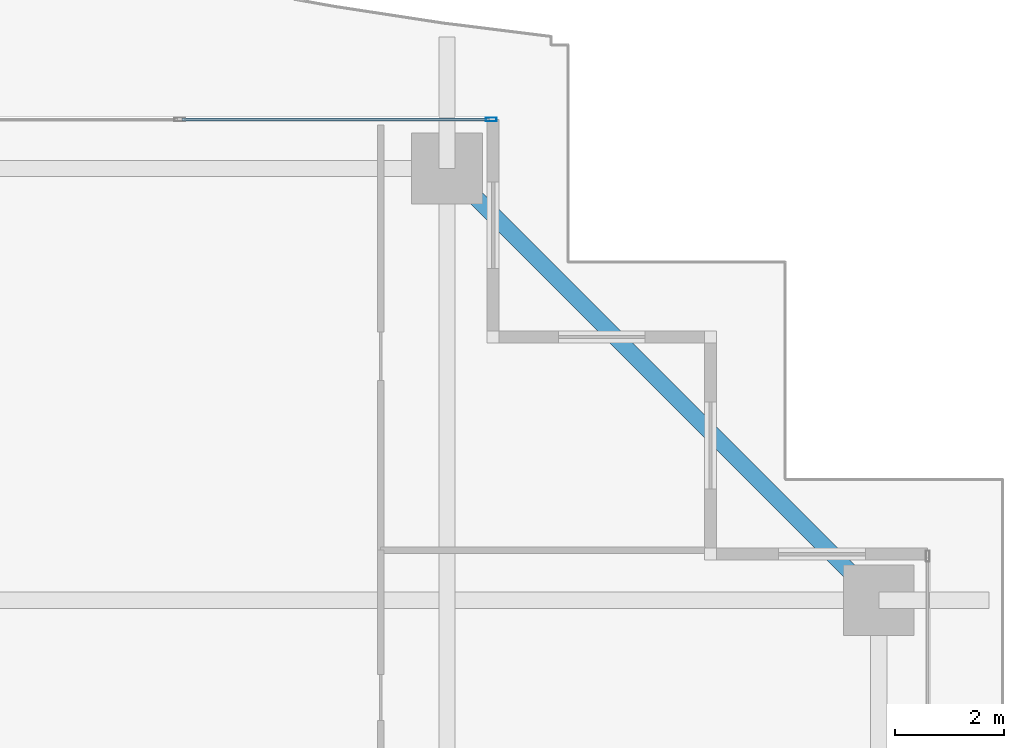
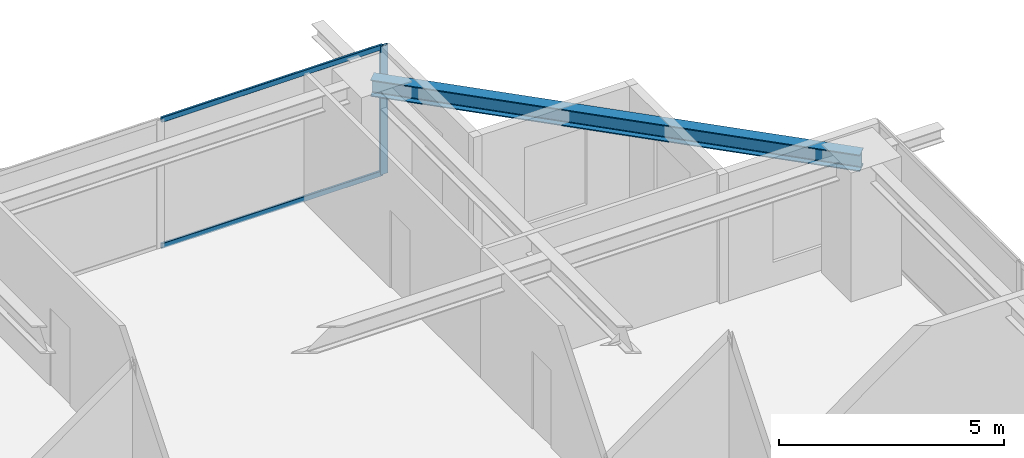
# One storey, part 23 of 39: 3 members, 1 beam, 1 element without a shape of its own.
"""IFC4 building model written with IfcOpenShell, lengths in metres."""

from ifc_helpers import new_model, si_unit, direction, frame, origin, origin_2d, place, context, subcontext, project, spatial, hollow_rectangle, i_section, extrude, source, transform, mapped, material, layer, layer_set, material_profile, profile_set, type_object, element, aggregate, save


model = new_model("IFC4")

# Units and contexts
model_context = context("Model", 3, precision=1e-05, world=origin(), true_north=direction((0.0, 1.0)))
body_context = subcontext(model_context, "Body", "Model", "MODEL_VIEW")
ifc_project = project(units=[si_unit("LENGTHUNIT", "METRE"), si_unit("AREAUNIT", "SQUARE_METRE"), si_unit("VOLUMEUNIT", "CUBIC_METRE"), si_unit("PLANEANGLEUNIT", "RADIAN"), si_unit("MASSUNIT", "GRAM", prefix="KILO")], contexts=[model_context])

# Site, building, storey
site_placement = place(None, origin())
site = spatial("IfcSite", under=ifc_project, at=site_placement, CompositionType="ELEMENT")
building_placement = place(site_placement, origin())
building = spatial("IfcBuilding", under=site, at=building_placement, Name="Serunith Strait Residences", CompositionType="ELEMENT")
storey_placement = place(building_placement, frame((0.0, 0.0, 123.89990234375)))
storey = spatial("IfcBuildingStorey", under=building, at=storey_placement, Name="L30", CompositionType="ELEMENT", Elevation=123.89990234375)

# Beam
ifc_material_1 = material(Name="Steel S355J2", Category="steel")
ifc_material_profile_1 = material_profile(ifc_material_1, i_section(OverallWidth=0.300048828125, OverallDepth=0.449951171875, WebThickness=0.013916015625, FlangeThickness=0.02587890625, FilletRadius=0.027099609375, at=origin_2d()), Name="HEB 450")
ifc_profile_set_1 = profile_set([ifc_material_profile_1], Name="Steel S355J2")
beam_type = type_object("IfcBeamType", Name="BM-HEB450", PredefinedType="BEAM", material=ifc_profile_set_1)
shared_shape_1 = source(origin(), body_context, "Body", "SweptSolid", [
    extrude(i_section(OverallWidth=0.300048828125, OverallDepth=0.449951171875, WebThickness=0.013916015625, FlangeThickness=0.02587890625, FilletRadius=0.027099609375, at=origin_2d()), origin(), (0.0, 0.0, 1.0), 11.2431640625),
])
beam_placement = place(storey_placement, frame((56.10009765625, 40.14990234375, 3.232177734375), z_axis=(-0.707106781187, 0.707106781187, 0.0), x_axis=(-0.707106781187, -0.707106781187, 0.0)))
element("IfcBeam", 1, at=beam_placement, inside=storey, type_object=beam_type, Name="L30 Perimeter Ring Beam 08", PredefinedType="BEAM", context=body_context, shape_type="MappedRepresentation", body=[
    mapped(shared_shape_1, transform((0.0, 0.0, 0.0), scale=1.0)),
])

# Curtain wall, members
ifc_material_2 = material(Name="Pale-Champagne Anodised Aluminium", Category="aluminium")
ifc_layer = layer(ifc_material_2, 0.199951171875, Name="Pale-Champagne Anodised Aluminium")
ifc_layer_set = layer_set([ifc_layer], Name="Pale-Champagne Anodised Aluminium")
curtain_wall_type = type_object("IfcCurtainWallType", Name="CW-SYS2", PredefinedType="NOTDEFINED", material=ifc_layer_set)
curtain_wall_placement = place(storey_placement, origin())
curtain_wall = element("IfcCurtainWall", 2, at=curtain_wall_placement, inside=storey, type_object=curtain_wall_type, Name="L30 N Unitised Fritted Curtain Wall", PredefinedType="NOTDEFINED")
ifc_material_profile_2 = material_profile(ifc_material_2, hollow_rectangle(XDim=0.070068359375, YDim=0.199951171875, WallThickness=0.00390625, InnerFilletRadius=0.006103515625, OuterFilletRadius=0.010009765625, at=origin_2d()), Name="ALU 200x70x4")
ifc_profile_set_2 = profile_set([ifc_material_profile_2], Name="Pale-Champagne Anodised Aluminium")
member_type_1 = type_object("IfcMemberType", Name="CW-SYS2-MULL", PredefinedType="MULLION", material=ifc_profile_set_2)
shared_shape_2 = source(origin(), body_context, "Body", "SweptSolid", [
    extrude(hollow_rectangle(XDim=0.070068359375, YDim=0.199951171875, WallThickness=0.00390625, InnerFilletRadius=0.006103515625, OuterFilletRadius=0.010009765625, at=origin_2d()), origin(), (0.0, 0.0, 1.0), 3.47509765625),
])
member_1_placement = place(storey_placement, frame((48.965087890625, 49.0, 0.0), z_axis=(0.0, 0.0, 1.0), x_axis=(0.0, -1.0, 0.0)))
member_1 = element("IfcMember", 3, at=member_1_placement, type_object=member_type_1, Name="CW-2 mullion 1", PredefinedType="MULLION", context=body_context, shape_type="MappedRepresentation", body=[
    mapped(shared_shape_2, transform((0.0, 0.0, 0.0), scale=1.0)),
])
ifc_material_profile_3 = material_profile(ifc_material_2, hollow_rectangle(XDim=0.06005859375, YDim=0.139892578125, WallThickness=0.00341796875, InnerFilletRadius=0.00537109375, OuterFilletRadius=0.0087890625, at=origin_2d()), Name="ALU 140x60x3.5")
ifc_profile_set_3 = profile_set([ifc_material_profile_3], Name="Pale-Champagne Anodised Aluminium")
member_type_2 = type_object("IfcMemberType", Name="CW-SYS2-TRAN", PredefinedType="USERDEFINED", material=ifc_profile_set_3)
shared_shape_3 = source(origin(), body_context, "Body", "SweptSolid", [
    extrude(hollow_rectangle(XDim=0.06005859375, YDim=0.139892578125, WallThickness=0.00341796875, InnerFilletRadius=0.00537109375, OuterFilletRadius=0.0087890625, at=origin_2d()), origin(), (0.0, 0.0, 1.0), 5.66162109375),
])
member_2_placement = place(storey_placement, frame((48.929931640625, 49.0, 0.030029296875), z_axis=(-1.0, 0.0, 0.0), x_axis=(0.0, -1.0, 0.0)))
member_2 = element("IfcMember", 4, at=member_2_placement, type_object=member_type_2, Name="CW-2 transom 1.1", ObjectType="TRANSOM", PredefinedType="USERDEFINED", context=body_context, shape_type="MappedRepresentation", body=[
    mapped(shared_shape_3, transform((0.0, 0.0, 0.0), scale=1.0)),
])
member_3_placement = place(storey_placement, frame((48.929931640625, 49.0, 3.445068359375), z_axis=(-1.0, 0.0, 0.0), x_axis=(0.0, -1.0, 0.0)))
member_3 = element("IfcMember", 5, at=member_3_placement, type_object=member_type_2, Name="CW-2 transom 1.2", ObjectType="TRANSOM", PredefinedType="USERDEFINED", context=body_context, shape_type="MappedRepresentation", body=[
    mapped(shared_shape_3, transform((0.0, 0.0, 0.0), scale=1.0)),
])
aggregate(curtain_wall, [member_1, member_2, member_3])

save(model, "model.ifc")
